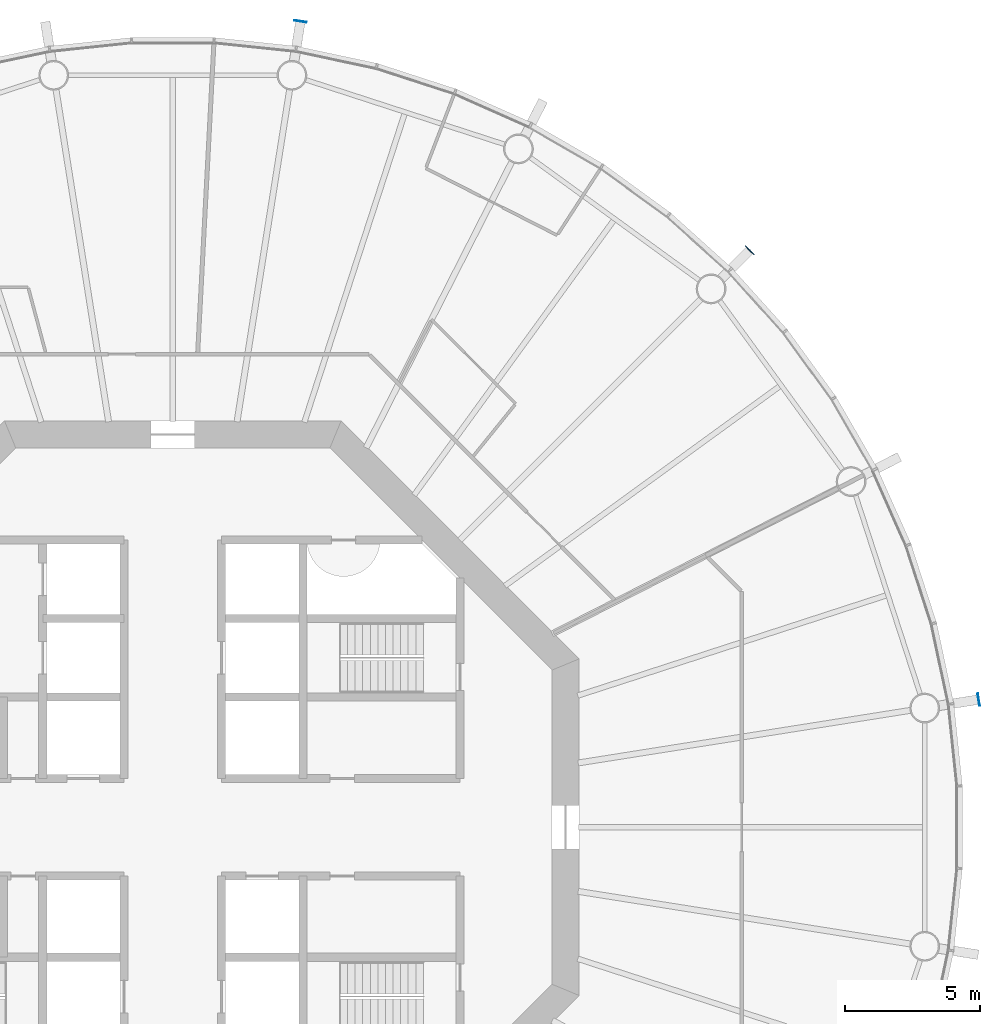
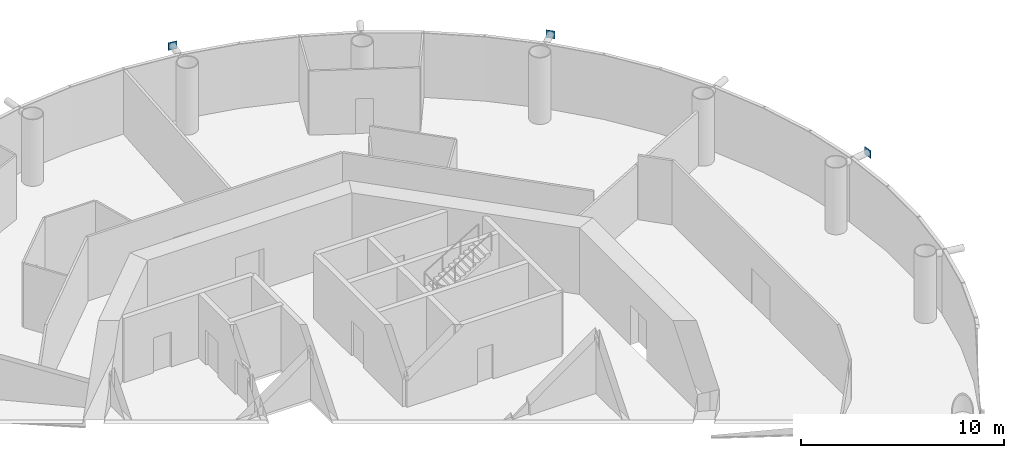
# One storey, part 10 of 17: 3 discrete accessories.
"""IFC4 building model written with IfcOpenShell, lengths in metres."""

from ifc_helpers import new_model, si_unit, direction, frame, origin, origin_2d, place, context, subcontext, project, spatial, rectangle, extrude, material, element, save


model = new_model("IFC4")

# Units and contexts
model_context = context("Model", 3, precision=1e-05, world=origin(), true_north=direction((0.0, 1.0)))
body_context = subcontext(model_context, "Body", "Model", "MODEL_VIEW")
ifc_project = project(units=[si_unit("LENGTHUNIT", "METRE"), si_unit("AREAUNIT", "SQUARE_METRE"), si_unit("VOLUMEUNIT", "CUBIC_METRE"), si_unit("PLANEANGLEUNIT", "RADIAN"), si_unit("MASSUNIT", "GRAM", prefix="KILO")], contexts=[model_context])

# Site, building, storey
site_placement = place(None, origin())
site = spatial("IfcSite", under=ifc_project, at=site_placement, CompositionType="ELEMENT")
building_placement = place(site_placement, origin())
building = spatial("IfcBuilding", under=site, at=building_placement, Name="Entoto Ring Tower", CompositionType="ELEMENT")
storey_placement = place(building_placement, frame((0.0, 0.0, 160.0)))
storey = spatial("IfcBuildingStorey", under=building, at=storey_placement, Name="L36", CompositionType="ELEMENT", Elevation=160.0)

# Discrete accessories
ifc_material = material(Name="Steel S355", Category="steel")
for number, where, z_axis, x_axis, name in (
    (1, (111.29443359375, 101.29443359375, 3.4443359375), (0.0, 0.0, 1.0), (0.707106781187, 0.707106781187, 0.0), "Node strut end plate DS1 ring 11 02"),
    (2, (94.7109375, 109.744140625, 3.4443359375), (0.0, 0.0, 1.0), (0.15643446504, 0.987688340595, 0.0), "Node strut end plate DS1 ring 11 04"),
    (3, (119.744140625, 84.7109375, 3.4443359375), (0.0, 0.0, 1.0), (0.987688340595, 0.15643446504, 0.0), "Node strut end plate DS1 ring 11 20"),
):
    element("IfcDiscreteAccessory", number, at=place(storey_placement, frame(where, z_axis=z_axis, x_axis=x_axis)), inside=storey, material=ifc_material, Name=name, PredefinedType="BRACKET", context=body_context, shape_type="SweptSolid", body=[
        extrude(rectangle(XDim=0.030029296875, YDim=0.45556640625, at=origin_2d()), origin(), (0.0, 0.0, 1.0), 0.45556640625),
    ])

save(model, "model.ifc")
